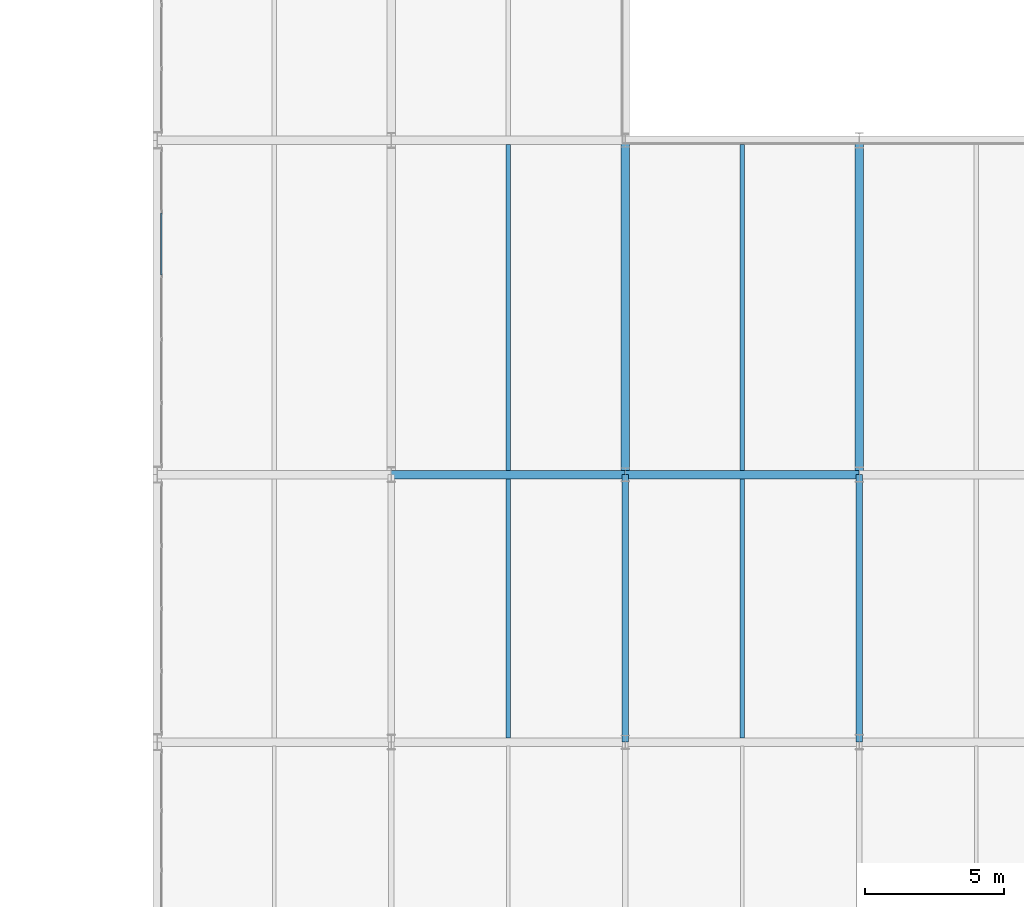
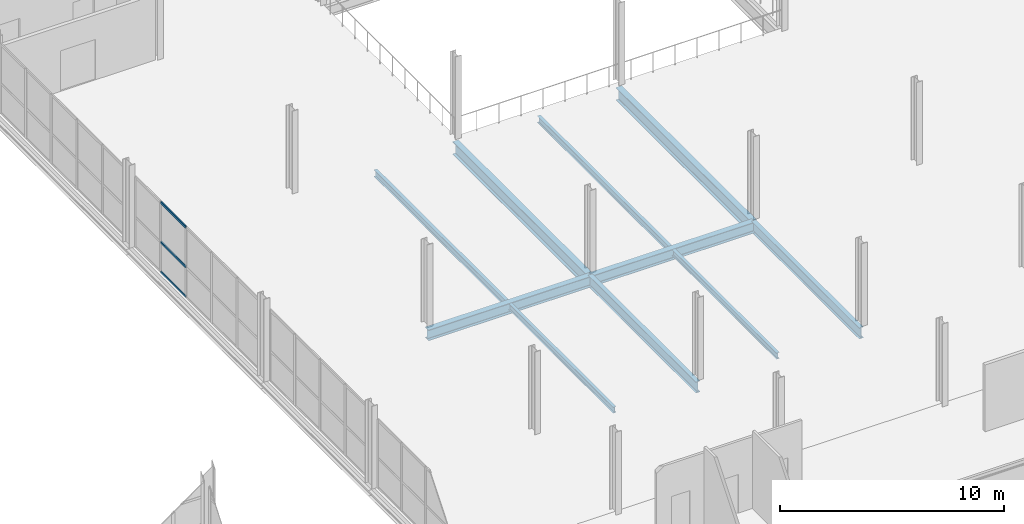
# One storey, part 31 of 109: 10 beams, 3 members, 1 element without a shape of its own.
"""IFC4 building model written with IfcOpenShell, lengths in metres."""

from ifc_helpers import new_model, si_unit, direction, frame, origin, origin_2d, place, context, subcontext, project, spatial, hollow_rectangle, i_section, extrude, material, material_profile, profile_set, type_object, element, aggregate, save


model = new_model("IFC4")

# Units and contexts
model_context = context("Model", 3, precision=1e-05, world=origin(), true_north=direction((0.0, 1.0)))
body_context = subcontext(model_context, "Body", "Model", "MODEL_VIEW")
ifc_project = project(units=[si_unit("LENGTHUNIT", "METRE"), si_unit("AREAUNIT", "SQUARE_METRE"), si_unit("VOLUMEUNIT", "CUBIC_METRE"), si_unit("PLANEANGLEUNIT", "RADIAN"), si_unit("MASSUNIT", "GRAM", prefix="KILO")], contexts=[model_context])

# Site, building, storey
site_placement = place(None, origin())
site = spatial("IfcSite", under=ifc_project, at=site_placement, CompositionType="ELEMENT")
building_placement = place(site_placement, origin())
building = spatial("IfcBuilding", under=site, at=building_placement, Name="Veltarok Museum of Natural Sciences", CompositionType="ELEMENT")
storey_placement = place(building_placement, frame((0.0, 0.0, 17.39990234375)))
storey = spatial("IfcBuildingStorey", under=building, at=storey_placement, Name="L03", CompositionType="ELEMENT", Elevation=17.39990234375)

# Curtain wall, members
ifc_material_1 = material(Name="Low-iron triple insulated glass", Category="glass")
curtain_wall_type = type_object("IfcCurtainWallType", Name="Curtain Wall System CW-V2W-L03-1-1140x383 (CW-V2W L03 1140x383cm)", PredefinedType="NOTDEFINED", material=ifc_material_1)
curtain_wall_placement = place(storey_placement, origin())
curtain_wall = element("IfcCurtainWall", 1, at=curtain_wall_placement, inside=storey, type_object=curtain_wall_type, Name="Curtain Wall CW-V2W-L03-1-1140x383 CW-0145", PredefinedType="NOTDEFINED")
ifc_material_2 = material(Name="Thermally broken anodised aluminium", Category="aluminium")
ifc_material_profile_1 = material_profile(ifc_material_2, hollow_rectangle(XDim=0.06005859375, YDim=0.1201171875, WallThickness=0.0048828125, at=origin_2d()), Name="CW TRANSOM 60x120x5")
ifc_profile_set_1 = profile_set([ifc_material_profile_1], Name="Thermally broken anodised aluminium")
member_type = type_object("IfcMemberType", Name="Curtain Wall Horizontal Transom 60x120x5", PredefinedType="USERDEFINED", material=ifc_profile_set_1)
member_1_placement = place(storey_placement, frame((40.14990234375, 43.169921875, 0.028076171875), z_axis=(0.0, 1.0, 0.0), x_axis=(-1.0, 0.0, 0.0)))
member_1 = element("IfcMember", 2, at=member_1_placement, type_object=member_type, Name="CW-V2W-L03-1-1140x383 transom 4.1", ObjectType="TRANSOM", PredefinedType="USERDEFINED", context=body_context, shape_type="SweptSolid", body=[
    extrude(hollow_rectangle(XDim=0.06005859375, YDim=0.1201171875, WallThickness=0.0048828125, at=origin_2d()), origin(), (0.0, 0.0, 1.0), 2.219970703125),
])
member_2_placement = place(storey_placement, frame((40.14990234375, 43.169921875, 1.648193359375), z_axis=(0.0, 1.0, 0.0), x_axis=(-1.0, 0.0, 0.0)))
member_2 = element("IfcMember", 3, at=member_2_placement, type_object=member_type, Name="CW-V2W-L03-1-1140x383 transom 4.2", ObjectType="TRANSOM", PredefinedType="USERDEFINED", context=body_context, shape_type="SweptSolid", body=[
    extrude(hollow_rectangle(XDim=0.06005859375, YDim=0.1201171875, WallThickness=0.0048828125, at=origin_2d()), origin(), (0.0, 0.0, 1.0), 2.219970703125),
])
member_3_placement = place(storey_placement, frame((40.14990234375, 43.169921875, 3.800048828125), z_axis=(0.0, 1.0, 0.0), x_axis=(-1.0, 0.0, 0.0)))
member_3 = element("IfcMember", 4, at=member_3_placement, type_object=member_type, Name="CW-V2W-L03-1-1140x383 transom 4.3", ObjectType="TRANSOM", PredefinedType="USERDEFINED", context=body_context, shape_type="SweptSolid", body=[
    extrude(hollow_rectangle(XDim=0.06005859375, YDim=0.1201171875, WallThickness=0.0048828125, at=origin_2d()), origin(), (0.0, 0.0, 1.0), 2.219970703125),
])
aggregate(curtain_wall, [member_1, member_2, member_3])

# Beams
ifc_material_3 = material(Name="Steel S355J2", Category="steel")
ifc_material_profile_2 = material_profile(ifc_material_3, i_section(OverallWidth=0.300048828125, OverallDepth=0.590087890625, WebThickness=0.012939453125, FlangeThickness=0.02490234375, FilletRadius=0.027099609375, at=origin_2d()), Name="HEA 600")
ifc_profile_set_2 = profile_set([ifc_material_profile_2], Name="Steel S355J2")
beam_type_1 = type_object("IfcBeamType", Name="Heavy Archive Girder HEA 600", PredefinedType="BEAM", material=ifc_profile_set_2)
beam_1_placement = place(storey_placement, frame((48.39990234375, 36.0, -0.544921875), z_axis=(1.0, 0.0, 0.0), x_axis=(0.0, 1.0, 0.0)))
element("IfcBeam", 5, at=beam_1_placement, inside=storey, type_object=beam_type_1, Name="Beam BM-G07 L03 6-7/E", PredefinedType="BEAM", context=body_context, shape_type="SweptSolid", body=[
    extrude(i_section(OverallWidth=0.300048828125, OverallDepth=0.590087890625, WebThickness=0.012939453125, FlangeThickness=0.02490234375, FilletRadius=0.027099609375, at=origin_2d()), origin(), (0.0, 0.0, 1.0), 8.400146484375),
])
beam_2_placement = place(storey_placement, frame((56.800048828125, 36.0, -0.544921875), z_axis=(1.0, 0.0, 0.0), x_axis=(0.0, 1.0, 0.0)))
element("IfcBeam", 6, at=beam_2_placement, inside=storey, type_object=beam_type_1, Name="Beam BM-G07 L03 7-8/E", PredefinedType="BEAM", context=body_context, shape_type="SweptSolid", body=[
    extrude(i_section(OverallWidth=0.300048828125, OverallDepth=0.590087890625, WebThickness=0.012939453125, FlangeThickness=0.02490234375, FilletRadius=0.027099609375, at=origin_2d()), origin(), (0.0, 0.0, 1.0), 8.39990234375),
])
ifc_material_profile_3 = material_profile(ifc_material_3, i_section(OverallWidth=0.169921875, OverallDepth=0.360107421875, WebThickness=0.008056640625, FlangeThickness=0.0126953125, FilletRadius=0.01806640625, at=origin_2d()), Name="IPE 360")
ifc_profile_set_3 = profile_set([ifc_material_profile_3], Name="Steel S355J2")
beam_type_2 = type_object("IfcBeamType", Name="Long-Bay Composite Joist IPE 360", PredefinedType="JOIST", material=ifc_profile_set_3)
for number, where, z_axis, x_axis, name in (
    (7, (52.60009765625, 36.14794921875, -0.429931640625), (0.0, 1.0, 0.0), (-1.0, 0.0, 0.0), "Secondary Joist BM-J01 L03 6-7/E-F.1"),
    (8, (61.0, 36.14794921875, -0.429931640625), (0.0, 1.0, 0.0), (-1.0, 0.0, 0.0), "Secondary Joist BM-J01 L03 7-8/E-F.1"),
):
    element("IfcBeam", number, at=place(storey_placement, frame(where, z_axis=z_axis, x_axis=x_axis)), inside=storey, type_object=beam_type_2, Name=name, PredefinedType="JOIST", context=body_context, shape_type="SweptSolid", body=[
        extrude(i_section(OverallWidth=0.169921875, OverallDepth=0.360107421875, WebThickness=0.008056640625, FlangeThickness=0.0126953125, FilletRadius=0.01806640625, at=origin_2d()), origin(), (0.0, 0.0, 1.0), 11.7041015625),
    ])
ifc_material_profile_4 = material_profile(ifc_material_3, i_section(OverallWidth=0.300048828125, OverallDepth=0.699951171875, WebThickness=0.01708984375, FlangeThickness=0.031982421875, FilletRadius=0.027099609375, at=origin_2d()), Name="HEB 700")
ifc_profile_set_4 = profile_set([ifc_material_profile_4], Name="Steel S355J2")
beam_type_3 = type_object("IfcBeamType", Name="Long-Span Hall Girder HEB 700", PredefinedType="BEAM", material=ifc_profile_set_4)
for number, where, z_axis, x_axis, name in (
    (9, (56.800048828125, 36.0, -0.599853515625), (0.0, 1.0, 0.0), (-1.0, 0.0, 0.0), "Beam BM-G01 L03 7/E-F"),
    (10, (65.199951171875, 36.0, -0.599853515625), (0.0, 1.0, 0.0), (-1.0, 0.0, 0.0), "Beam BM-G01 L03 8/E-F"),
):
    element("IfcBeam", number, at=place(storey_placement, frame(where, z_axis=z_axis, x_axis=x_axis)), inside=storey, type_object=beam_type_3, Name=name, PredefinedType="BEAM", context=body_context, shape_type="SweptSolid", body=[
        extrude(i_section(OverallWidth=0.300048828125, OverallDepth=0.699951171875, WebThickness=0.01708984375, FlangeThickness=0.031982421875, FilletRadius=0.027099609375, at=origin_2d()), origin(), (0.0, 0.0, 1.0), 12.0),
    ])
ifc_material_profile_5 = material_profile(ifc_material_3, i_section(OverallWidth=0.159912109375, OverallDepth=0.330078125, WebThickness=0.007568359375, FlangeThickness=0.011474609375, FilletRadius=0.01806640625, at=origin_2d()), Name="IPE 330")
ifc_profile_set_5 = profile_set([ifc_material_profile_5], Name="Steel S355J2")
beam_type_4 = type_object("IfcBeamType", Name="Medium-Bay Composite Joist IPE 330", PredefinedType="JOIST", material=ifc_profile_set_5)
for number, where, z_axis, x_axis, name in (
    (11, (52.60009765625, 26.548095703125, -0.414794921875), (0.0, 1.0, 0.0), (-1.0, 0.0, 0.0), "Secondary Joist BM-J02 L03 6-7/D-E.1"),
    (12, (61.0, 26.548095703125, -0.414794921875), (0.0, 1.0, 0.0), (-1.0, 0.0, 0.0), "Secondary Joist BM-J02 L03 7-8/D-E.1"),
):
    element("IfcBeam", number, at=place(storey_placement, frame(where, z_axis=z_axis, x_axis=x_axis)), inside=storey, type_object=beam_type_4, Name=name, PredefinedType="JOIST", context=body_context, shape_type="SweptSolid", body=[
        extrude(i_section(OverallWidth=0.159912109375, OverallDepth=0.330078125, WebThickness=0.007568359375, FlangeThickness=0.011474609375, FilletRadius=0.01806640625, at=origin_2d()), origin(), (0.0, 0.0, 1.0), 9.303955078125),
    ])
ifc_material_profile_6 = material_profile(ifc_material_3, i_section(OverallWidth=0.219970703125, OverallDepth=0.60009765625, WebThickness=0.011962890625, FlangeThickness=0.01904296875, FilletRadius=0.02392578125, at=origin_2d()), Name="IPE 600")
ifc_profile_set_6 = profile_set([ifc_material_profile_6], Name="Steel S355J2")
beam_type_5 = type_object("IfcBeamType", Name="Primary Museum Girder IPE 600", PredefinedType="BEAM", material=ifc_profile_set_6)
for number, where, z_axis, x_axis, name in (
    (13, (56.800048828125, 26.39990234375, -0.5498046875), (0.0, 1.0, 0.0), (-1.0, 0.0, 0.0), "Beam BM-G02 L03 7/D-E"),
    (14, (65.199951171875, 26.39990234375, -0.5498046875), (0.0, 1.0, 0.0), (-1.0, 0.0, 0.0), "Beam BM-G02 L03 8/D-E"),
):
    element("IfcBeam", number, at=place(storey_placement, frame(where, z_axis=z_axis, x_axis=x_axis)), inside=storey, type_object=beam_type_5, Name=name, PredefinedType="BEAM", context=body_context, shape_type="SweptSolid", body=[
        extrude(i_section(OverallWidth=0.219970703125, OverallDepth=0.60009765625, WebThickness=0.011962890625, FlangeThickness=0.01904296875, FilletRadius=0.02392578125, at=origin_2d()), origin(), (0.0, 0.0, 1.0), 9.60009765625),
    ])

save(model, "model.ifc")
